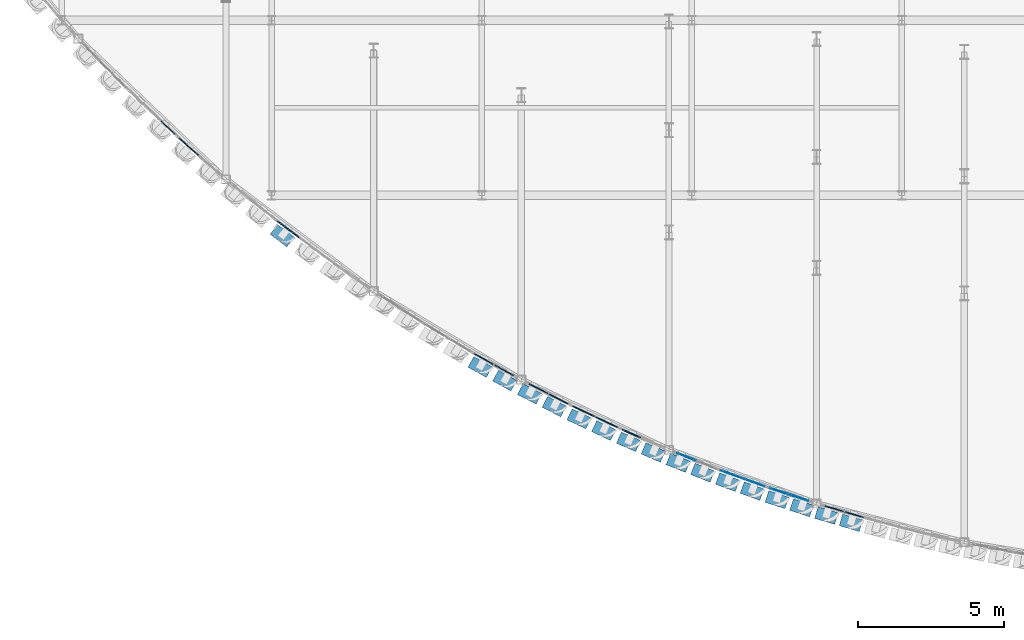
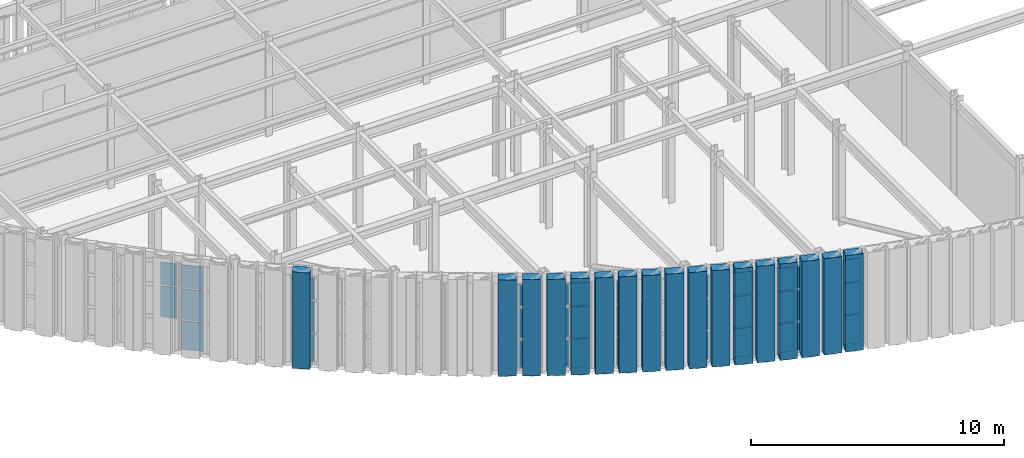
# One storey, part 75 of 121: 66 plates, 11 elements without a shape of their own.
"""IFC4 building model written with IfcOpenShell, lengths in metres."""

from ifc_helpers import new_model, si_unit, direction, frame, origin, origin_2d, place, context, subcontext, project, spatial, rectangle, extrude, material, layer, layer_set, type_object, element, aggregate, save


model = new_model("IFC4")

# Units and contexts
model_context = context("Model", 3, precision=1e-05, world=origin(), true_north=direction((0.0, 1.0)))
body_context = subcontext(model_context, "Body", "Model", "MODEL_VIEW")
ifc_project = project(units=[si_unit("LENGTHUNIT", "METRE"), si_unit("AREAUNIT", "SQUARE_METRE"), si_unit("VOLUMEUNIT", "CUBIC_METRE"), si_unit("PLANEANGLEUNIT", "RADIAN"), si_unit("MASSUNIT", "GRAM", prefix="KILO")], contexts=[model_context])

# Site, building, storey
site_placement = place(None, origin())
site = spatial("IfcSite", under=ifc_project, at=site_placement, CompositionType="ELEMENT")
building_placement = place(site_placement, origin())
building = spatial("IfcBuilding", under=site, at=building_placement, Name="Solvadek Multi-Sports Hall", CompositionType="ELEMENT")
storey_placement = place(building_placement, frame((0.0, 0.0, 4.800048828125)))
storey = spatial("IfcBuildingStorey", under=building, at=storey_placement, Name="L01", CompositionType="ELEMENT", Elevation=4.800048828125)

# Curtain wall, plates
ifc_material_1 = material(Name="Anodised aluminium", Category="aluminium")
ifc_layer_1 = layer(ifc_material_1, 0.159912109375, Name="Anodised aluminium")
ifc_layer_set_1 = layer_set([ifc_layer_1], Name="Anodised aluminium")
curtain_wall_type_1 = type_object("IfcCurtainWallType", Name="ENV-CW-155X420", PredefinedType="USERDEFINED", material=ifc_layer_set_1)
curtain_wall_1_placement = place(storey_placement, origin())
curtain_wall_1 = element("IfcCurtainWall", 1, at=curtain_wall_1_placement, inside=storey, type_object=curtain_wall_type_1, Name="L01 Crescent Curved Curtain Wall #37", ObjectType="CURTAIN WALL", PredefinedType="USERDEFINED")
ifc_material_2 = material(Name="Tempered laminated low-E glass", Category="glass")
ifc_layer_2 = layer(ifc_material_2, 0.02392578125, Name="Tempered laminated low-E glass")
ifc_layer_set_2 = layer_set([ifc_layer_2], Name="Tempered laminated low-E glass")
plate_type_1 = type_object("IfcPlateType", Name="ENV-CWP-01", PredefinedType="CURTAIN_PANEL", material=ifc_layer_set_2)
plate_1_placement = place(storey_placement, frame((57.415283203125, -8.962158203125, 0.06494140625), z_axis=(0.0, 0.0, 1.0), x_axis=(0.928966641619, -0.370163448708, 0.0)))
plate_1 = element("IfcPlate", 2, at=plate_1_placement, type_object=plate_type_1, Name="CW-18 panel 1.1", PredefinedType="CURTAIN_PANEL", context=body_context, shape_type="SweptSolid", body=[
    extrude(rectangle(XDim=0.67529296875, YDim=0.02392578125, at=origin_2d()), origin(), (0.0, 0.0, 1.0), 1.37255859375),
])
plate_2_placement = place(storey_placement, frame((57.415283203125, -8.962158203125, 1.50244140625), z_axis=(0.0, 0.0, 1.0), x_axis=(0.928966641619, -0.370163448708, 0.0)))
plate_2 = element("IfcPlate", 3, at=plate_2_placement, type_object=plate_type_1, Name="CW-18 panel 1.2", PredefinedType="CURTAIN_PANEL", context=body_context, shape_type="SweptSolid", body=[
    extrude(rectangle(XDim=0.67529296875, YDim=0.02392578125, at=origin_2d()), origin(), (0.0, 0.0, 1.0), 1.489013671875),
])
plate_3_placement = place(storey_placement, frame((57.415283203125, -8.962158203125, 3.056396484375), z_axis=(0.0, 0.0, 1.0), x_axis=(0.928966641619, -0.370163448708, 0.0)))
plate_3 = element("IfcPlate", 4, at=plate_3_placement, type_object=plate_type_1, Name="CW-18 panel 1.3", PredefinedType="CURTAIN_PANEL", context=body_context, shape_type="SweptSolid", body=[
    extrude(rectangle(XDim=0.67529296875, YDim=0.02392578125, at=origin_2d()), origin(), (0.0, 0.0, 1.0), 1.07861328125),
])
aggregate(curtain_wall_1, [plate_1, plate_2, plate_3])

ifc_layer_3 = layer(ifc_material_1, 0.159912109375, Name="Anodised aluminium")
ifc_layer_set_3 = layer_set([ifc_layer_3], Name="Anodised aluminium")
curtain_wall_type_2 = type_object("IfcCurtainWallType", Name="ENV-CW-227X420", PredefinedType="USERDEFINED", material=ifc_layer_set_3)
curtain_wall_2_placement = place(storey_placement, origin())
curtain_wall_2 = element("IfcCurtainWall", 5, at=curtain_wall_2_placement, inside=storey, type_object=curtain_wall_type_2, Name="L01 Crescent Curved Curtain Wall #15", ObjectType="CURTAIN WALL", PredefinedType="USERDEFINED")
ifc_layer_4 = layer(ifc_material_2, 0.028076171875, Name="Tempered laminated low-E glass")
ifc_layer_set_4 = layer_set([ifc_layer_4], Name="Tempered laminated low-E glass")
plate_type_2 = type_object("IfcPlateType", Name="ENV-CWP-02", PredefinedType="CURTAIN_PANEL", material=ifc_layer_set_4)
plate_4_placement = place(storey_placement, frame((39.64208984375, 2.31982421875, 1.50244140625), z_axis=(0.0, 0.0, 1.0), x_axis=(0.724763758281, -0.688997456224, 0.0)))
plate_4 = element("IfcPlate", 6, at=plate_4_placement, type_object=plate_type_2, Name="CW-06 panel 3.2", PredefinedType="CURTAIN_PANEL", context=body_context, shape_type="SweptSolid", body=[
    extrude(rectangle(XDim=0.658447265625, YDim=0.028076171875, at=origin_2d()), origin(), (0.0, 0.0, 1.0), 1.489013671875),
])
plate_5_placement = place(storey_placement, frame((39.64208984375, 2.31982421875, 3.056396484375), z_axis=(0.0, 0.0, 1.0), x_axis=(0.724763758281, -0.688997456224, 0.0)))
plate_5 = element("IfcPlate", 7, at=plate_5_placement, type_object=plate_type_2, Name="CW-06 panel 3.3", PredefinedType="CURTAIN_PANEL", context=body_context, shape_type="SweptSolid", body=[
    extrude(rectangle(XDim=0.658447265625, YDim=0.028076171875, at=origin_2d()), origin(), (0.0, 0.0, 1.0), 1.07861328125),
])
aggregate(curtain_wall_2, [plate_4, plate_5])

ifc_layer_5 = layer(ifc_material_1, 0.159912109375, Name="Anodised aluminium")
ifc_layer_set_5 = layer_set([ifc_layer_5], Name="Anodised aluminium")
curtain_wall_type_3 = type_object("IfcCurtainWallType", Name="ENV-CW-173X420", PredefinedType="USERDEFINED", material=ifc_layer_set_5)
curtain_wall_3_placement = place(storey_placement, origin())
curtain_wall_3 = element("IfcCurtainWall", 8, at=curtain_wall_3_placement, inside=storey, type_object=curtain_wall_type_3, Name="L01 Crescent Curved Curtain Wall #39", ObjectType="CURTAIN WALL", PredefinedType="USERDEFINED")
plate_6_placement = place(storey_placement, frame((58.957275390625, -9.560302734375, 0.06494140625), z_axis=(0.0, 0.0, 1.0), x_axis=(0.939991897727, -0.341196764651, 0.0)))
plate_6 = element("IfcPlate", 9, at=plate_6_placement, type_object=plate_type_2, Name="CW-19 panel 1.1", PredefinedType="CURTAIN_PANEL", context=body_context, shape_type="SweptSolid", body=[
    extrude(rectangle(XDim=0.76220703125, YDim=0.028076171875, at=origin_2d()), origin(), (0.0, 0.0, 1.0), 1.37255859375),
])
plate_7_placement = place(storey_placement, frame((58.957275390625, -9.560302734375, 1.50244140625), z_axis=(0.0, 0.0, 1.0), x_axis=(0.939991897727, -0.341196764651, 0.0)))
plate_7 = element("IfcPlate", 10, at=plate_7_placement, type_object=plate_type_2, Name="CW-19 panel 1.2", PredefinedType="CURTAIN_PANEL", context=body_context, shape_type="SweptSolid", body=[
    extrude(rectangle(XDim=0.76220703125, YDim=0.028076171875, at=origin_2d()), origin(), (0.0, 0.0, 1.0), 1.489013671875),
])
plate_8_placement = place(storey_placement, frame((58.957275390625, -9.560302734375, 3.056396484375), z_axis=(0.0, 0.0, 1.0), x_axis=(0.939991897727, -0.341196764651, 0.0)))
plate_8 = element("IfcPlate", 11, at=plate_8_placement, type_object=plate_type_2, Name="CW-19 panel 1.3", PredefinedType="CURTAIN_PANEL", context=body_context, shape_type="SweptSolid", body=[
    extrude(rectangle(XDim=0.76220703125, YDim=0.028076171875, at=origin_2d()), origin(), (0.0, 0.0, 1.0), 1.07861328125),
])
plate_9_placement = place(storey_placement, frame((59.73974609375, -9.844482421875, 0.06494140625), z_axis=(0.0, 0.0, 1.0), x_axis=(0.939991897727, -0.341196764651, 0.0)))
plate_9 = element("IfcPlate", 12, at=plate_9_placement, type_object=plate_type_2, Name="CW-19 panel 2.1", PredefinedType="CURTAIN_PANEL", context=body_context, shape_type="SweptSolid", body=[
    extrude(rectangle(XDim=0.76220703125, YDim=0.028076171875, at=origin_2d()), origin(), (0.0, 0.0, 1.0), 1.37255859375),
])
plate_10_placement = place(storey_placement, frame((59.73974609375, -9.844482421875, 1.50244140625), z_axis=(0.0, 0.0, 1.0), x_axis=(0.939991897727, -0.341196764651, 0.0)))
plate_10 = element("IfcPlate", 13, at=plate_10_placement, type_object=plate_type_2, Name="CW-19 panel 2.2", PredefinedType="CURTAIN_PANEL", context=body_context, shape_type="SweptSolid", body=[
    extrude(rectangle(XDim=0.76220703125, YDim=0.028076171875, at=origin_2d()), origin(), (0.0, 0.0, 1.0), 1.489013671875),
])
plate_11_placement = place(storey_placement, frame((59.73974609375, -9.844482421875, 3.056396484375), z_axis=(0.0, 0.0, 1.0), x_axis=(0.939991897727, -0.341196764651, 0.0)))
plate_11 = element("IfcPlate", 14, at=plate_11_placement, type_object=plate_type_2, Name="CW-19 panel 2.3", PredefinedType="CURTAIN_PANEL", context=body_context, shape_type="SweptSolid", body=[
    extrude(rectangle(XDim=0.76220703125, YDim=0.028076171875, at=origin_2d()), origin(), (0.0, 0.0, 1.0), 1.07861328125),
])
aggregate(curtain_wall_3, [plate_6, plate_7, plate_8, plate_9, plate_10, plate_11])

ifc_layer_6 = layer(ifc_material_1, 0.159912109375, Name="Anodised aluminium")
ifc_layer_set_6 = layer_set([ifc_layer_6], Name="Anodised aluminium")
curtain_wall_type_4 = type_object("IfcCurtainWallType", Name="ENV-CW-198X420", PredefinedType="USERDEFINED", material=ifc_layer_set_6)
curtain_wall_4_placement = place(storey_placement, origin())
curtain_wall_4 = element("IfcCurtainWall", 15, at=curtain_wall_4_placement, inside=storey, type_object=curtain_wall_type_4, Name="L01 Crescent Curved Curtain Wall #17", ObjectType="CURTAIN WALL", PredefinedType="USERDEFINED")
ifc_layer_7 = layer(ifc_material_2, 0.031982421875, Name="Tempered laminated low-E glass")
ifc_layer_set_7 = layer_set([ifc_layer_7], Name="Tempered laminated low-E glass")
plate_type_3 = type_object("IfcPlateType", Name="ENV-CWP-03", PredefinedType="CURTAIN_PANEL", material=ifc_layer_set_7)
plate_12_placement = place(storey_placement, frame((40.355224609375, 1.6708984375, 0.06005859375), z_axis=(0.0, 0.0, 1.0), x_axis=(0.751217375879, -0.660054887246, 0.0)))
plate_12 = element("IfcPlate", 16, at=plate_12_placement, type_object=plate_type_3, Name="CW-08 panel 1.1", PredefinedType="CURTAIN_PANEL", context=body_context, shape_type="SweptSolid", body=[
    extrude(rectangle(XDim=0.890380859375, YDim=0.031982421875, at=origin_2d()), origin(), (0.0, 0.0, 1.0), 1.3798828125),
])
plate_13_placement = place(storey_placement, frame((40.355224609375, 1.6708984375, 1.5), z_axis=(0.0, 0.0, 1.0), x_axis=(0.751217375879, -0.660054887246, 0.0)))
plate_13 = element("IfcPlate", 17, at=plate_13_placement, type_object=plate_type_3, Name="CW-08 panel 1.2", PredefinedType="CURTAIN_PANEL", context=body_context, shape_type="SweptSolid", body=[
    extrude(rectangle(XDim=0.890380859375, YDim=0.031982421875, at=origin_2d()), origin(), (0.0, 0.0, 1.0), 1.493896484375),
])
plate_14_placement = place(storey_placement, frame((40.355224609375, 1.6708984375, 3.053955078125), z_axis=(0.0, 0.0, 1.0), x_axis=(0.751217375879, -0.660054887246, 0.0)))
plate_14 = element("IfcPlate", 18, at=plate_14_placement, type_object=plate_type_3, Name="CW-08 panel 1.3", PredefinedType="CURTAIN_PANEL", context=body_context, shape_type="SweptSolid", body=[
    extrude(rectangle(XDim=0.890380859375, YDim=0.031982421875, at=origin_2d()), origin(), (0.0, 0.0, 1.0), 1.0859375),
])
aggregate(curtain_wall_4, [plate_12, plate_13, plate_14])

ifc_layer_8 = layer(ifc_material_1, 0.159912109375, Name="Anodised aluminium")
ifc_layer_set_8 = layer_set([ifc_layer_8], Name="Anodised aluminium")
curtain_wall_type_5 = type_object("IfcCurtainWallType", Name="ENV-CW-166X420", PredefinedType="USERDEFINED", material=ifc_layer_set_8)
curtain_wall_5_placement = place(storey_placement, origin())
curtain_wall_5 = element("IfcCurtainWall", 19, at=curtain_wall_5_placement, inside=storey, type_object=curtain_wall_type_5, Name="L01 Crescent Curved Curtain Wall #29", ObjectType="CURTAIN WALL", PredefinedType="USERDEFINED")
plate_15_placement = place(storey_placement, frame((50.474853515625, -5.610595703125, 0.06494140625), z_axis=(0.0, 0.0, 1.0), x_axis=(0.873955482835, -0.486005981468, 0.0)))
plate_15 = element("IfcPlate", 20, at=plate_15_placement, type_object=plate_type_3, Name="CW-14 panel 1.1", PredefinedType="CURTAIN_PANEL", context=body_context, shape_type="SweptSolid", body=[
    extrude(rectangle(XDim=0.72509765625, YDim=0.031982421875, at=origin_2d()), origin(), (0.0, 0.0, 1.0), 1.37255859375),
])
plate_16_placement = place(storey_placement, frame((50.474853515625, -5.610595703125, 1.50244140625), z_axis=(0.0, 0.0, 1.0), x_axis=(0.873955482835, -0.486005981468, 0.0)))
plate_16 = element("IfcPlate", 21, at=plate_16_placement, type_object=plate_type_3, Name="CW-14 panel 1.2", PredefinedType="CURTAIN_PANEL", context=body_context, shape_type="SweptSolid", body=[
    extrude(rectangle(XDim=0.72509765625, YDim=0.031982421875, at=origin_2d()), origin(), (0.0, 0.0, 1.0), 1.489013671875),
])
plate_17_placement = place(storey_placement, frame((50.474853515625, -5.610595703125, 3.056396484375), z_axis=(0.0, 0.0, 1.0), x_axis=(0.873955482835, -0.486005981468, 0.0)))
plate_17 = element("IfcPlate", 22, at=plate_17_placement, type_object=plate_type_3, Name="CW-14 panel 1.3", PredefinedType="CURTAIN_PANEL", context=body_context, shape_type="SweptSolid", body=[
    extrude(rectangle(XDim=0.72509765625, YDim=0.031982421875, at=origin_2d()), origin(), (0.0, 0.0, 1.0), 1.07861328125),
])
plate_18_placement = place(storey_placement, frame((51.169921875, -5.9970703125, 0.06494140625), z_axis=(0.0, 0.0, 1.0), x_axis=(0.873955482835, -0.486005981468, 0.0)))
plate_18 = element("IfcPlate", 23, at=plate_18_placement, type_object=plate_type_3, Name="CW-14 panel 2.1", PredefinedType="CURTAIN_PANEL", context=body_context, shape_type="SweptSolid", body=[
    extrude(rectangle(XDim=0.72509765625, YDim=0.031982421875, at=origin_2d()), origin(), (0.0, 0.0, 1.0), 1.37255859375),
])
plate_19_placement = place(storey_placement, frame((51.169921875, -5.9970703125, 1.50244140625), z_axis=(0.0, 0.0, 1.0), x_axis=(0.873955482835, -0.486005981468, 0.0)))
plate_19 = element("IfcPlate", 24, at=plate_19_placement, type_object=plate_type_3, Name="CW-14 panel 2.2", PredefinedType="CURTAIN_PANEL", context=body_context, shape_type="SweptSolid", body=[
    extrude(rectangle(XDim=0.72509765625, YDim=0.031982421875, at=origin_2d()), origin(), (0.0, 0.0, 1.0), 1.489013671875),
])
plate_20_placement = place(storey_placement, frame((51.169921875, -5.9970703125, 3.056396484375), z_axis=(0.0, 0.0, 1.0), x_axis=(0.873955482835, -0.486005981468, 0.0)))
plate_20 = element("IfcPlate", 25, at=plate_20_placement, type_object=plate_type_3, Name="CW-14 panel 2.3", PredefinedType="CURTAIN_PANEL", context=body_context, shape_type="SweptSolid", body=[
    extrude(rectangle(XDim=0.72509765625, YDim=0.031982421875, at=origin_2d()), origin(), (0.0, 0.0, 1.0), 1.07861328125),
])
aggregate(curtain_wall_5, [plate_15, plate_16, plate_17, plate_18, plate_19, plate_20])

ifc_layer_9 = layer(ifc_material_1, 0.159912109375, Name="Anodised aluminium")
ifc_layer_set_9 = layer_set([ifc_layer_9], Name="Anodised aluminium")
curtain_wall_type_6 = type_object("IfcCurtainWallType", Name="ENV-CW-151X420", PredefinedType="USERDEFINED", material=ifc_layer_set_9)
curtain_wall_6_placement = place(storey_placement, origin())
curtain_wall_6 = element("IfcCurtainWall", 26, at=curtain_wall_6_placement, inside=storey, type_object=curtain_wall_type_6, Name="L01 Crescent Curved Curtain Wall #41", ObjectType="CURTAIN WALL", PredefinedType="USERDEFINED")
plate_21_placement = place(storey_placement, frame((60.59228515625, -10.14013671875, 0.06005859375), z_axis=(0.0, 0.0, 1.0), x_axis=(0.950049193251, -0.312100192891, 0.0)))
plate_21 = element("IfcPlate", 27, at=plate_21_placement, type_object=plate_type_3, Name="CW-20 panel 1.1", PredefinedType="CURTAIN_PANEL", context=body_context, shape_type="SweptSolid", body=[
    extrude(rectangle(XDim=0.662841796875, YDim=0.031982421875, at=origin_2d()), origin(), (0.0, 0.0, 1.0), 1.3798828125),
])
plate_22_placement = place(storey_placement, frame((60.59228515625, -10.14013671875, 1.5), z_axis=(0.0, 0.0, 1.0), x_axis=(0.950049193251, -0.312100192891, 0.0)))
plate_22 = element("IfcPlate", 28, at=plate_22_placement, type_object=plate_type_3, Name="CW-20 panel 1.2", PredefinedType="CURTAIN_PANEL", context=body_context, shape_type="SweptSolid", body=[
    extrude(rectangle(XDim=0.662841796875, YDim=0.031982421875, at=origin_2d()), origin(), (0.0, 0.0, 1.0), 1.493896484375),
])
plate_23_placement = place(storey_placement, frame((60.59228515625, -10.14013671875, 3.053955078125), z_axis=(0.0, 0.0, 1.0), x_axis=(0.950049193251, -0.312100192891, 0.0)))
plate_23 = element("IfcPlate", 29, at=plate_23_placement, type_object=plate_type_3, Name="CW-20 panel 1.3", PredefinedType="CURTAIN_PANEL", context=body_context, shape_type="SweptSolid", body=[
    extrude(rectangle(XDim=0.662841796875, YDim=0.031982421875, at=origin_2d()), origin(), (0.0, 0.0, 1.0), 1.0859375),
])
plate_24_placement = place(storey_placement, frame((61.279052734375, -10.36572265625, 0.06005859375), z_axis=(0.0, 0.0, 1.0), x_axis=(0.950049193251, -0.312100192891, 0.0)))
plate_24 = element("IfcPlate", 30, at=plate_24_placement, type_object=plate_type_3, Name="CW-20 panel 2.1", PredefinedType="CURTAIN_PANEL", context=body_context, shape_type="SweptSolid", body=[
    extrude(rectangle(XDim=0.662841796875, YDim=0.031982421875, at=origin_2d()), origin(), (0.0, 0.0, 1.0), 1.3798828125),
])
plate_25_placement = place(storey_placement, frame((61.279052734375, -10.36572265625, 1.5), z_axis=(0.0, 0.0, 1.0), x_axis=(0.950049193251, -0.312100192891, 0.0)))
plate_25 = element("IfcPlate", 31, at=plate_25_placement, type_object=plate_type_3, Name="CW-20 panel 2.2", PredefinedType="CURTAIN_PANEL", context=body_context, shape_type="SweptSolid", body=[
    extrude(rectangle(XDim=0.662841796875, YDim=0.031982421875, at=origin_2d()), origin(), (0.0, 0.0, 1.0), 1.493896484375),
])
plate_26_placement = place(storey_placement, frame((61.279052734375, -10.36572265625, 3.053955078125), z_axis=(0.0, 0.0, 1.0), x_axis=(0.950049193251, -0.312100192891, 0.0)))
plate_26 = element("IfcPlate", 32, at=plate_26_placement, type_object=plate_type_3, Name="CW-20 panel 2.3", PredefinedType="CURTAIN_PANEL", context=body_context, shape_type="SweptSolid", body=[
    extrude(rectangle(XDim=0.662841796875, YDim=0.031982421875, at=origin_2d()), origin(), (0.0, 0.0, 1.0), 1.0859375),
])
aggregate(curtain_wall_6, [plate_21, plate_22, plate_23, plate_24, plate_25, plate_26])

ifc_layer_10 = layer(ifc_material_1, 0.159912109375, Name="Anodised aluminium")
ifc_layer_set_10 = layer_set([ifc_layer_10], Name="Anodised aluminium")
curtain_wall_type_7 = type_object("IfcCurtainWallType", Name="ENV-CW-163X420", PredefinedType="USERDEFINED", material=ifc_layer_set_10)
curtain_wall_7_placement = place(storey_placement, origin())
curtain_wall_7 = element("IfcCurtainWall", 33, at=curtain_wall_7_placement, inside=storey, type_object=curtain_wall_type_7, Name="L01 Crescent Curved Curtain Wall #31", ObjectType="CURTAIN WALL", PredefinedType="USERDEFINED")
ifc_layer_11 = layer(ifc_material_2, 0.035888671875, Name="Tempered laminated low-E glass")
ifc_layer_set_11 = layer_set([ifc_layer_11], Name="Tempered laminated low-E glass")
plate_type_4 = type_object("IfcPlateType", Name="ENV-CWP-04", PredefinedType="CURTAIN_PANEL", material=ifc_layer_set_11)
plate_27_placement = place(storey_placement, frame((52.34619140625, -6.62646484375, 0.06494140625), z_axis=(0.0, 0.0, 1.0), x_axis=(0.889417075143, -0.457096561401, 0.0)))
plate_27 = element("IfcPlate", 34, at=plate_27_placement, type_object=plate_type_4, Name="CW-15 panel 1.1", PredefinedType="CURTAIN_PANEL", context=body_context, shape_type="SweptSolid", body=[
    extrude(rectangle(XDim=0.723388671875, YDim=0.035888671875, at=origin_2d()), origin(), (0.0, 0.0, 1.0), 1.37255859375),
])
plate_28_placement = place(storey_placement, frame((52.34619140625, -6.62646484375, 1.50244140625), z_axis=(0.0, 0.0, 1.0), x_axis=(0.889417075143, -0.457096561401, 0.0)))
plate_28 = element("IfcPlate", 35, at=plate_28_placement, type_object=plate_type_4, Name="CW-15 panel 1.2", PredefinedType="CURTAIN_PANEL", context=body_context, shape_type="SweptSolid", body=[
    extrude(rectangle(XDim=0.723388671875, YDim=0.035888671875, at=origin_2d()), origin(), (0.0, 0.0, 1.0), 1.489013671875),
])
plate_29_placement = place(storey_placement, frame((52.34619140625, -6.62646484375, 3.056396484375), z_axis=(0.0, 0.0, 1.0), x_axis=(0.889417075143, -0.457096561401, 0.0)))
plate_29 = element("IfcPlate", 36, at=plate_29_placement, type_object=plate_type_4, Name="CW-15 panel 1.3", PredefinedType="CURTAIN_PANEL", context=body_context, shape_type="SweptSolid", body=[
    extrude(rectangle(XDim=0.723388671875, YDim=0.035888671875, at=origin_2d()), origin(), (0.0, 0.0, 1.0), 1.07861328125),
])
plate_30_placement = place(storey_placement, frame((53.042724609375, -6.984375, 0.06494140625), z_axis=(0.0, 0.0, 1.0), x_axis=(0.889417075143, -0.457096561401, 0.0)))
plate_30 = element("IfcPlate", 37, at=plate_30_placement, type_object=plate_type_4, Name="CW-15 panel 2.1", PredefinedType="CURTAIN_PANEL", context=body_context, shape_type="SweptSolid", body=[
    extrude(rectangle(XDim=0.723388671875, YDim=0.035888671875, at=origin_2d()), origin(), (0.0, 0.0, 1.0), 1.37255859375),
])
plate_31_placement = place(storey_placement, frame((53.042724609375, -6.984375, 1.50244140625), z_axis=(0.0, 0.0, 1.0), x_axis=(0.889417075143, -0.457096561401, 0.0)))
plate_31 = element("IfcPlate", 38, at=plate_31_placement, type_object=plate_type_4, Name="CW-15 panel 2.2", PredefinedType="CURTAIN_PANEL", context=body_context, shape_type="SweptSolid", body=[
    extrude(rectangle(XDim=0.723388671875, YDim=0.035888671875, at=origin_2d()), origin(), (0.0, 0.0, 1.0), 1.489013671875),
])
plate_32_placement = place(storey_placement, frame((53.042724609375, -6.984375, 3.056396484375), z_axis=(0.0, 0.0, 1.0), x_axis=(0.889417075143, -0.457096561401, 0.0)))
plate_32 = element("IfcPlate", 39, at=plate_32_placement, type_object=plate_type_4, Name="CW-15 panel 2.3", PredefinedType="CURTAIN_PANEL", context=body_context, shape_type="SweptSolid", body=[
    extrude(rectangle(XDim=0.723388671875, YDim=0.035888671875, at=origin_2d()), origin(), (0.0, 0.0, 1.0), 1.07861328125),
])
aggregate(curtain_wall_7, [plate_27, plate_28, plate_29, plate_30, plate_31, plate_32])

ifc_layer_12 = layer(ifc_material_1, 0.159912109375, Name="Anodised aluminium")
ifc_layer_set_12 = layer_set([ifc_layer_12], Name="Anodised aluminium")
curtain_wall_type_8 = type_object("IfcCurtainWallType", Name="ENV-CW-149X420", PredefinedType="USERDEFINED", material=ifc_layer_set_12)
curtain_wall_8_placement = place(storey_placement, origin())
curtain_wall_8 = element("IfcCurtainWall", 40, at=curtain_wall_8_placement, inside=storey, type_object=curtain_wall_type_8, Name="L01 Crescent Curved Curtain Wall #43", ObjectType="CURTAIN WALL", PredefinedType="USERDEFINED")
plate_33_placement = place(storey_placement, frame((62.48046875, -10.740234375, 0.06005859375), z_axis=(0.0, 0.0, 1.0), x_axis=(0.959068713434, -0.283173450223, 0.0)))
plate_33 = element("IfcPlate", 41, at=plate_33_placement, type_object=plate_type_4, Name="CW-21 panel 1.1", PredefinedType="CURTAIN_PANEL", context=body_context, shape_type="SweptSolid", body=[
    extrude(rectangle(XDim=0.654541015625, YDim=0.035888671875, at=origin_2d()), origin(), (0.0, 0.0, 1.0), 1.3798828125),
])
plate_34_placement = place(storey_placement, frame((62.48046875, -10.740234375, 1.5), z_axis=(0.0, 0.0, 1.0), x_axis=(0.959068713434, -0.283173450223, 0.0)))
plate_34 = element("IfcPlate", 42, at=plate_34_placement, type_object=plate_type_4, Name="CW-21 panel 1.2", PredefinedType="CURTAIN_PANEL", context=body_context, shape_type="SweptSolid", body=[
    extrude(rectangle(XDim=0.654541015625, YDim=0.035888671875, at=origin_2d()), origin(), (0.0, 0.0, 1.0), 1.493896484375),
])
plate_35_placement = place(storey_placement, frame((62.48046875, -10.740234375, 3.053955078125), z_axis=(0.0, 0.0, 1.0), x_axis=(0.959068713434, -0.283173450223, 0.0)))
plate_35 = element("IfcPlate", 43, at=plate_35_placement, type_object=plate_type_4, Name="CW-21 panel 1.3", PredefinedType="CURTAIN_PANEL", context=body_context, shape_type="SweptSolid", body=[
    extrude(rectangle(XDim=0.654541015625, YDim=0.035888671875, at=origin_2d()), origin(), (0.0, 0.0, 1.0), 1.0859375),
])
plate_36_placement = place(storey_placement, frame((63.16552734375, -10.942626953125, 0.06005859375), z_axis=(0.0, 0.0, 1.0), x_axis=(0.959068713434, -0.283173450223, 0.0)))
plate_36 = element("IfcPlate", 44, at=plate_36_placement, type_object=plate_type_4, Name="CW-21 panel 2.1", PredefinedType="CURTAIN_PANEL", context=body_context, shape_type="SweptSolid", body=[
    extrude(rectangle(XDim=0.654541015625, YDim=0.035888671875, at=origin_2d()), origin(), (0.0, 0.0, 1.0), 1.3798828125),
])
plate_37_placement = place(storey_placement, frame((63.16552734375, -10.942626953125, 1.5), z_axis=(0.0, 0.0, 1.0), x_axis=(0.959068713434, -0.283173450223, 0.0)))
plate_37 = element("IfcPlate", 45, at=plate_37_placement, type_object=plate_type_4, Name="CW-21 panel 2.2", PredefinedType="CURTAIN_PANEL", context=body_context, shape_type="SweptSolid", body=[
    extrude(rectangle(XDim=0.654541015625, YDim=0.035888671875, at=origin_2d()), origin(), (0.0, 0.0, 1.0), 1.493896484375),
])
plate_38_placement = place(storey_placement, frame((63.16552734375, -10.942626953125, 3.053955078125), z_axis=(0.0, 0.0, 1.0), x_axis=(0.959068713434, -0.283173450223, 0.0)))
plate_38 = element("IfcPlate", 46, at=plate_38_placement, type_object=plate_type_4, Name="CW-21 panel 2.3", PredefinedType="CURTAIN_PANEL", context=body_context, shape_type="SweptSolid", body=[
    extrude(rectangle(XDim=0.654541015625, YDim=0.035888671875, at=origin_2d()), origin(), (0.0, 0.0, 1.0), 1.0859375),
])
aggregate(curtain_wall_8, [plate_33, plate_34, plate_35, plate_36, plate_37, plate_38])

ifc_layer_13 = layer(ifc_material_1, 0.159912109375, Name="Anodised aluminium")
ifc_layer_set_13 = layer_set([ifc_layer_13], Name="Anodised aluminium")
curtain_wall_type_9 = type_object("IfcCurtainWallType", Name="ENV-CW-205X420", PredefinedType="USERDEFINED", material=ifc_layer_set_13)
curtain_wall_9_placement = place(storey_placement, origin())
curtain_wall_9 = element("IfcCurtainWall", 47, at=curtain_wall_9_placement, inside=storey, type_object=curtain_wall_type_9, Name="L01 Crescent Curved Curtain Wall #21", ObjectType="CURTAIN WALL", PredefinedType="USERDEFINED")
ifc_layer_14 = layer(ifc_material_2, 0.0419921875, Name="Tempered laminated low-E glass")
ifc_layer_set_14 = layer_set([ifc_layer_14], Name="Tempered laminated low-E glass")
plate_type_5 = type_object("IfcPlateType", Name="ENV-CWP-05", PredefinedType="CURTAIN_PANEL", material=ifc_layer_set_14)
plate_39_placement = place(storey_placement, frame((43.76904296875, -1.162841796875, 0.06494140625), z_axis=(0.0, 0.0, 1.0), x_axis=(0.798477265694, -0.602024963078, 0.0)))
plate_39 = element("IfcPlate", 48, at=plate_39_placement, type_object=plate_type_5, Name="CW-10 panel 1.1", PredefinedType="CURTAIN_PANEL", context=body_context, shape_type="SweptSolid", body=[
    extrude(rectangle(XDim=0.936279296875, YDim=0.0419921875, at=origin_2d()), origin(), (0.0, 0.0, 1.0), 1.37255859375),
])
plate_40_placement = place(storey_placement, frame((43.76904296875, -1.162841796875, 1.50244140625), z_axis=(0.0, 0.0, 1.0), x_axis=(0.798477265694, -0.602024963078, 0.0)))
plate_40 = element("IfcPlate", 49, at=plate_40_placement, type_object=plate_type_5, Name="CW-10 panel 1.2", PredefinedType="CURTAIN_PANEL", context=body_context, shape_type="SweptSolid", body=[
    extrude(rectangle(XDim=0.936279296875, YDim=0.0419921875, at=origin_2d()), origin(), (0.0, 0.0, 1.0), 1.489013671875),
])
plate_41_placement = place(storey_placement, frame((43.76904296875, -1.162841796875, 3.056396484375), z_axis=(0.0, 0.0, 1.0), x_axis=(0.798477265694, -0.602024963078, 0.0)))
plate_41 = element("IfcPlate", 50, at=plate_41_placement, type_object=plate_type_5, Name="CW-10 panel 1.3", PredefinedType="CURTAIN_PANEL", context=body_context, shape_type="SweptSolid", body=[
    extrude(rectangle(XDim=0.936279296875, YDim=0.0419921875, at=origin_2d()), origin(), (0.0, 0.0, 1.0), 1.07861328125),
])
aggregate(curtain_wall_9, [plate_39, plate_40, plate_41])

ifc_layer_15 = layer(ifc_material_1, 0.159912109375, Name="Anodised aluminium")
ifc_layer_set_15 = layer_set([ifc_layer_15], Name="Anodised aluminium")
curtain_wall_type_10 = type_object("IfcCurtainWallType", Name="ENV-CW-181X420", PredefinedType="USERDEFINED", material=ifc_layer_set_15)
curtain_wall_10_placement = place(storey_placement, origin())
curtain_wall_10 = element("IfcCurtainWall", 51, at=curtain_wall_10_placement, inside=storey, type_object=curtain_wall_type_10, Name="L01 Crescent Curved Curtain Wall #33", ObjectType="CURTAIN WALL", PredefinedType="USERDEFINED")
plate_42_placement = place(storey_placement, frame((53.893310546875, -7.403564453125, 0.06005859375), z_axis=(0.0, 0.0, 1.0), x_axis=(0.903702895487, -0.428160106372, 0.0)))
plate_42 = element("IfcPlate", 52, at=plate_42_placement, type_object=plate_type_5, Name="CW-16 panel 1.1", PredefinedType="CURTAIN_PANEL", context=body_context, shape_type="SweptSolid", body=[
    extrude(rectangle(XDim=0.813232421875, YDim=0.0419921875, at=origin_2d()), origin(), (0.0, 0.0, 1.0), 1.3798828125),
])
plate_43_placement = place(storey_placement, frame((53.893310546875, -7.403564453125, 1.5), z_axis=(0.0, 0.0, 1.0), x_axis=(0.903702895487, -0.428160106372, 0.0)))
plate_43 = element("IfcPlate", 53, at=plate_43_placement, type_object=plate_type_5, Name="CW-16 panel 1.2", PredefinedType="CURTAIN_PANEL", context=body_context, shape_type="SweptSolid", body=[
    extrude(rectangle(XDim=0.813232421875, YDim=0.0419921875, at=origin_2d()), origin(), (0.0, 0.0, 1.0), 1.493896484375),
])
plate_44_placement = place(storey_placement, frame((53.893310546875, -7.403564453125, 3.053955078125), z_axis=(0.0, 0.0, 1.0), x_axis=(0.903702895487, -0.428160106372, 0.0)))
plate_44 = element("IfcPlate", 54, at=plate_44_placement, type_object=plate_type_5, Name="CW-16 panel 1.3", PredefinedType="CURTAIN_PANEL", context=body_context, shape_type="SweptSolid", body=[
    extrude(rectangle(XDim=0.813232421875, YDim=0.0419921875, at=origin_2d()), origin(), (0.0, 0.0, 1.0), 1.0859375),
])
plate_45_placement = place(storey_placement, frame((54.682373046875, -7.77734375, 0.06005859375), z_axis=(0.0, 0.0, 1.0), x_axis=(0.903702895487, -0.428160106372, 0.0)))
plate_45 = element("IfcPlate", 55, at=plate_45_placement, type_object=plate_type_5, Name="CW-16 panel 2.1", PredefinedType="CURTAIN_PANEL", context=body_context, shape_type="SweptSolid", body=[
    extrude(rectangle(XDim=0.813232421875, YDim=0.0419921875, at=origin_2d()), origin(), (0.0, 0.0, 1.0), 1.3798828125),
])
plate_46_placement = place(storey_placement, frame((54.682373046875, -7.77734375, 1.5), z_axis=(0.0, 0.0, 1.0), x_axis=(0.903702895487, -0.428160106372, 0.0)))
plate_46 = element("IfcPlate", 56, at=plate_46_placement, type_object=plate_type_5, Name="CW-16 panel 2.2", PredefinedType="CURTAIN_PANEL", context=body_context, shape_type="SweptSolid", body=[
    extrude(rectangle(XDim=0.813232421875, YDim=0.0419921875, at=origin_2d()), origin(), (0.0, 0.0, 1.0), 1.493896484375),
])
plate_47_placement = place(storey_placement, frame((54.682373046875, -7.77734375, 3.053955078125), z_axis=(0.0, 0.0, 1.0), x_axis=(0.903702895487, -0.428160106372, 0.0)))
plate_47 = element("IfcPlate", 57, at=plate_47_placement, type_object=plate_type_5, Name="CW-16 panel 2.3", PredefinedType="CURTAIN_PANEL", context=body_context, shape_type="SweptSolid", body=[
    extrude(rectangle(XDim=0.813232421875, YDim=0.0419921875, at=origin_2d()), origin(), (0.0, 0.0, 1.0), 1.0859375),
])
aggregate(curtain_wall_10, [plate_42, plate_43, plate_44, plate_45, plate_46, plate_47])

ifc_layer_16 = layer(ifc_material_1, 0.159912109375, Name="Anodised aluminium")
ifc_layer_set_16 = layer_set([ifc_layer_16], Name="Anodised aluminium")
curtain_wall_type_11 = type_object("IfcCurtainWallType", Name="ENV-CW-157X420", PredefinedType="USERDEFINED", material=ifc_layer_set_16)
curtain_wall_11_placement = place(storey_placement, origin())
curtain_wall_11 = element("IfcCurtainWall", 58, at=curtain_wall_11_placement, inside=storey, type_object=curtain_wall_type_11, Name="L01 Crescent Curved Curtain Wall #35", ObjectType="CURTAIN WALL", PredefinedType="USERDEFINED")
ifc_layer_17 = layer(ifc_material_2, 0.048095703125, Name="Tempered laminated low-E glass")
ifc_layer_set_17 = layer_set([ifc_layer_17], Name="Tempered laminated low-E glass")
plate_type_6 = type_object("IfcPlateType", Name="ENV-CWP-06", PredefinedType="CURTAIN_PANEL", material=ifc_layer_set_17)
plate_48_placement = place(storey_placement, frame((55.533447265625, -8.1650390625, 0.06005859375), z_axis=(0.0, 0.0, 1.0), x_axis=(0.916926176116, -0.399056872581, 0.0)))
plate_48 = element("IfcPlate", 59, at=plate_48_placement, type_object=plate_type_6, Name="CW-17 panel 1.1", PredefinedType="CURTAIN_PANEL", context=body_context, shape_type="SweptSolid", body=[
    extrude(rectangle(XDim=0.687255859375, YDim=0.048095703125, at=origin_2d()), origin(), (0.0, 0.0, 1.0), 1.3798828125),
])
plate_49_placement = place(storey_placement, frame((55.533447265625, -8.1650390625, 1.5), z_axis=(0.0, 0.0, 1.0), x_axis=(0.916926176116, -0.399056872581, 0.0)))
plate_49 = element("IfcPlate", 60, at=plate_49_placement, type_object=plate_type_6, Name="CW-17 panel 1.2", PredefinedType="CURTAIN_PANEL", context=body_context, shape_type="SweptSolid", body=[
    extrude(rectangle(XDim=0.687255859375, YDim=0.048095703125, at=origin_2d()), origin(), (0.0, 0.0, 1.0), 1.493896484375),
])
aggregate(curtain_wall_11, [plate_48, plate_49])

# Plates
ifc_material_3 = material(Name="Perforated champagne-bronze anodised aluminium", Category="aluminium")
ifc_layer_18 = layer(ifc_material_3, 0.419921875, Name="Perforated champagne-bronze anodised aluminium")
ifc_layer_set_18 = layer_set([ifc_layer_18], Name="Perforated champagne-bronze anodised aluminium")
plate_type_7 = type_object("IfcPlateType", Name="ENV-FLT-440", PredefinedType="USERDEFINED", material=ifc_layer_set_18)
for number, where, z_axis, x_axis, name in (
    (61, (43.564453125, -1.38427734375, 0.0400390625), (0.0, 0.0, 1.0), (0.798475077393, -0.602027865453, 0.0), "L01 Half-Cylinder Colonnade Flute #41"),
    (62, (50.3466796875, -5.882568359375, 0.0400390625), (0.0, 0.0, 1.0), (0.873929914462, -0.486051956696, 0.0), "L01 Half-Cylinder Colonnade Flute #57"),
    (63, (51.18994140625, -6.3515625, 0.0400390625), (0.0, 0.0, 1.0), (0.873929914462, -0.486051956696, 0.0), "L01 Half-Cylinder Colonnade Flute #58"),
    (64, (52.042236328125, -6.8076171875, 0.0400390625), (0.0, 0.0, 1.0), (0.889426842209, -0.457077556174, 0.0), "L01 Half-Cylinder Colonnade Flute #61"),
    (65, (52.8857421875, -7.240966796875, 0.0400390625), (0.0, 0.0, 1.0), (0.889426842209, -0.457077556174, 0.0), "L01 Half-Cylinder Colonnade Flute #62"),
    (66, (53.73779296875, -7.661865234375, 0.0400390625), (0.0, 0.0, 1.0), (0.903719292524, -0.428125495994, 0.0), "L01 Half-Cylinder Colonnade Flute #65"),
    (67, (54.5810546875, -8.061279296875, 0.0400390625), (0.0, 0.0, 1.0), (0.903719292524, -0.428125495994, 0.0), "L01 Half-Cylinder Colonnade Flute #66"),
    (68, (55.433349609375, -8.44873046875, 0.0400390625), (0.0, 0.0, 1.0), (0.916917898667, -0.399075891409, 0.0), "L01 Half-Cylinder Colonnade Flute #69"),
    (69, (56.27685546875, -8.815673828125, 0.0400390625), (0.0, 0.0, 1.0), (0.916917898667, -0.399075891409, 0.0), "L01 Half-Cylinder Colonnade Flute #70"),
    (70, (57.12890625, -9.1708984375, 0.0400390625), (0.0, 0.0, 1.0), (0.92898095972, -0.370127513808, 0.0), "L01 Half-Cylinder Colonnade Flute #73"),
    (71, (57.972412109375, -9.507080078125, 0.0400390625), (0.0, 0.0, 1.0), (0.92898095972, -0.370127513808, 0.0), "L01 Half-Cylinder Colonnade Flute #74"),
    (72, (58.824462890625, -9.831298828125, 0.0400390625), (0.0, 0.0, 1.0), (0.940004762404, -0.341161320576, 0.0), "L01 Half-Cylinder Colonnade Flute #77"),
    (73, (59.66796875, -10.137451171875, 0.0400390625), (0.0, 0.0, 1.0), (0.940004762404, -0.341161320576, 0.0), "L01 Half-Cylinder Colonnade Flute #78"),
    (74, (60.52001953125, -10.43212890625, 0.0400390625), (0.0, 0.0, 1.0), (0.950042962408, -0.312119159264, 0.0), "L01 Half-Cylinder Colonnade Flute #81"),
    (75, (61.363525390625, -10.709228515625, 0.0400390625), (0.0, 0.0, 1.0), (0.950042962408, -0.312119159264, 0.0), "L01 Half-Cylinder Colonnade Flute #82"),
    (76, (62.215576171875, -10.974853515625, 0.0400390625), (0.0, 0.0, 1.0), (0.959064393359, -0.2831880813, 0.0), "L01 Half-Cylinder Colonnade Flute #85"),
    (77, (63.05908203125, -11.223876953125, 0.0400390625), (0.0, 0.0, 1.0), (0.959064393359, -0.2831880813, 0.0), "L01 Half-Cylinder Colonnade Flute #86"),
):
    element("IfcPlate", number, at=place(storey_placement, frame(where, z_axis=z_axis, x_axis=x_axis)), inside=storey, type_object=plate_type_7, Name=name, ObjectType="FLANGED_SHEET", PredefinedType="USERDEFINED", context=body_context, shape_type="SweptSolid", body=[
        extrude(rectangle(XDim=0.719970703125, YDim=0.419921875, at=origin_2d()), origin(), (0.0, 0.0, 1.0), 4.64990234375),
    ])

save(model, "model.ifc")
